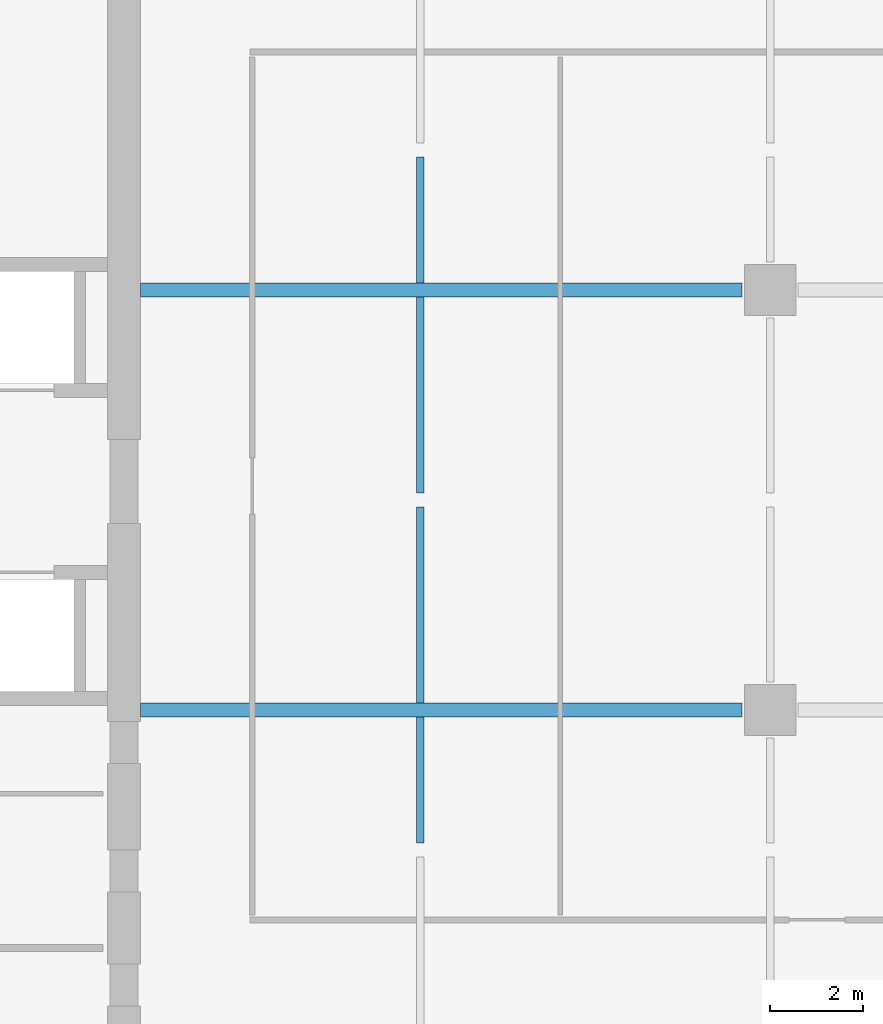
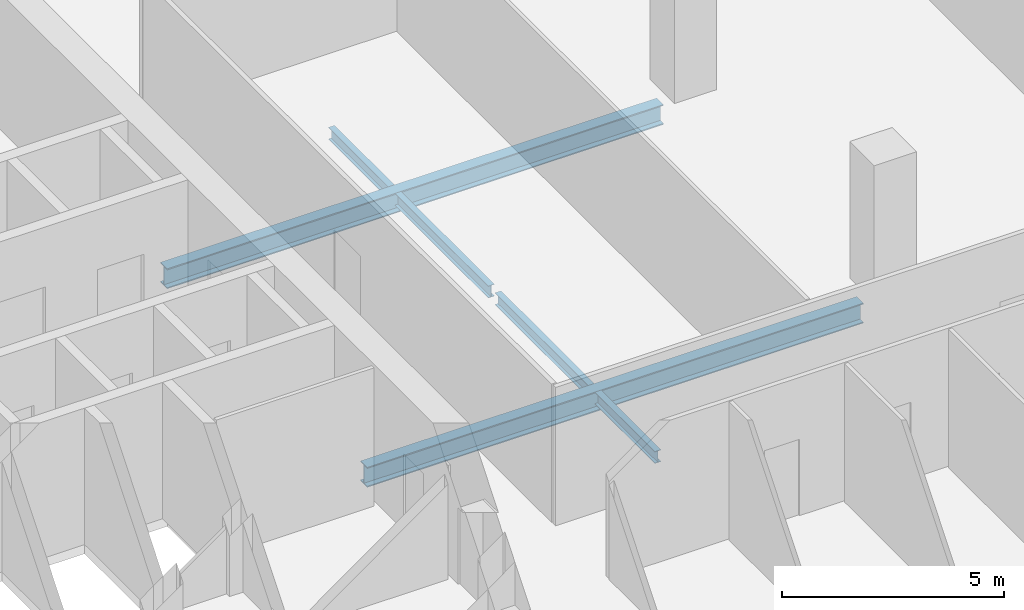
# One storey, part 8 of 33: 6 beams.
"""IFC4 building model written with IfcOpenShell, lengths in metres."""

from ifc_helpers import new_model, si_unit, direction, frame, origin, origin_2d, place, context, subcontext, project, spatial, i_section, extrude, source, transform, mapped, material, material_profile, profile_set, type_object, element, save


model = new_model("IFC4")

# Units and contexts
model_context = context("Model", 3, precision=1e-05, world=origin(), true_north=direction((0.0, 1.0)))
body_context = subcontext(model_context, "Body", "Model", "MODEL_VIEW")
ifc_project = project(units=[si_unit("LENGTHUNIT", "METRE"), si_unit("AREAUNIT", "SQUARE_METRE"), si_unit("VOLUMEUNIT", "CUBIC_METRE"), si_unit("PLANEANGLEUNIT", "RADIAN"), si_unit("MASSUNIT", "GRAM", prefix="KILO")], contexts=[model_context])

# Site, building, storey
site_placement = place(None, origin())
site = spatial("IfcSite", under=ifc_project, at=site_placement, CompositionType="ELEMENT")
building_placement = place(site_placement, origin())
building = spatial("IfcBuilding", under=site, at=building_placement, Name="Khomas Fold Tower", CompositionType="ELEMENT")
storey_placement = place(building_placement, frame((0.0, 0.0, 222.199951171875)))
storey = spatial("IfcBuildingStorey", under=building, at=storey_placement, Name="L49", CompositionType="ELEMENT", Elevation=222.199951171875)

# Beams
ifc_material_1 = material(Name="Steel S355", Category="steel")
ifc_material_profile_1 = material_profile(ifc_material_1, i_section(OverallWidth=0.300048828125, OverallDepth=0.550048828125, WebThickness=0.014892578125, FlangeThickness=0.029052734375, at=origin_2d()), Name="HE 550 B")
ifc_profile_set_1 = profile_set([ifc_material_profile_1], Name="Steel S355")
beam_type_1 = type_object("IfcBeamType", Name="HE 550 B beam GB4", PredefinedType="BEAM", material=ifc_profile_set_1)
shared_shape_1 = source(origin(), body_context, "Body", "SweptSolid", [
    extrude(i_section(OverallWidth=0.300048828125, OverallDepth=0.550048828125, WebThickness=0.014892578125, FlangeThickness=0.029052734375, at=origin_2d()), origin(), (0.0, 0.0, 1.0), 12.89990234375),
])
for number, where, z_axis, x_axis, name in (
    (1, (21.0, 22.5, -0.52490234375), (1.0, 0.0, 0.0), (0.0, 1.0, 0.0), "GB4"),
    (2, (21.0, 31.5, -0.52490234375), (1.0, 0.0, 0.0), (0.0, 1.0, 0.0), "GB4"),
):
    element("IfcBeam", number, at=place(storey_placement, frame(where, z_axis=z_axis, x_axis=x_axis)), inside=storey, type_object=beam_type_1, Name=name, PredefinedType="BEAM", context=body_context, shape_type="MappedRepresentation", body=[
        mapped(shared_shape_1, transform((0.0, 0.0, 0.0))),
    ])
ifc_material_2 = material(Name="Steel S355", Category="steel")
ifc_material_profile_2 = material_profile(ifc_material_2, i_section(OverallWidth=0.159912109375, OverallDepth=0.330078125, WebThickness=0.007568359375, FlangeThickness=0.011474609375, at=origin_2d()), Name="IPE 330")
ifc_profile_set_2 = profile_set([ifc_material_profile_2], Name="Steel S355")
beam_type_2 = type_object("IfcBeamType", Name="IPE 330 beam JB1", PredefinedType="BEAM", material=ifc_profile_set_2)
shared_shape_2 = source(origin(), body_context, "Body", "SweptSolid", [
    extrude(i_section(OverallWidth=0.159912109375, OverallDepth=0.330078125, WebThickness=0.007568359375, FlangeThickness=0.011474609375, at=origin_2d()), origin(), (0.0, 0.0, 1.0), 2.69921875),
])
for number, where, z_axis, x_axis, name in (
    (3, (27.0, 19.65087890625, -0.4150390625), (0.0, 1.0, 0.0), (-1.0, 0.0, 0.0), "JB1"),
    (4, (27.0, 31.64990234375, -0.4150390625), (0.0, 1.0, 0.0), (-1.0, 0.0, 0.0), "JB1"),
):
    element("IfcBeam", number, at=place(storey_placement, frame(where, z_axis=z_axis, x_axis=x_axis)), inside=storey, type_object=beam_type_2, Name=name, PredefinedType="BEAM", context=body_context, shape_type="MappedRepresentation", body=[
        mapped(shared_shape_2, transform((0.0, 0.0, 0.0))),
    ])
shared_shape_3 = source(origin(), body_context, "Body", "SweptSolid", [
    extrude(i_section(OverallWidth=0.159912109375, OverallDepth=0.330078125, WebThickness=0.007568359375, FlangeThickness=0.011474609375, at=origin_2d()), origin(), (0.0, 0.0, 1.0), 4.19921875),
])
for number, where, z_axis, x_axis, name in (
    (5, (27.0, 22.64990234375, -0.4150390625), (0.0, 1.0, 0.0), (-1.0, 0.0, 0.0), "JB1"),
    (6, (27.0, 27.15087890625, -0.4150390625), (0.0, 1.0, 0.0), (-1.0, 0.0, 0.0), "JB1"),
):
    element("IfcBeam", number, at=place(storey_placement, frame(where, z_axis=z_axis, x_axis=x_axis)), inside=storey, type_object=beam_type_2, Name=name, PredefinedType="BEAM", context=body_context, shape_type="MappedRepresentation", body=[
        mapped(shared_shape_3, transform((0.0, 0.0, 0.0))),
    ])

save(model, "model.ifc")
